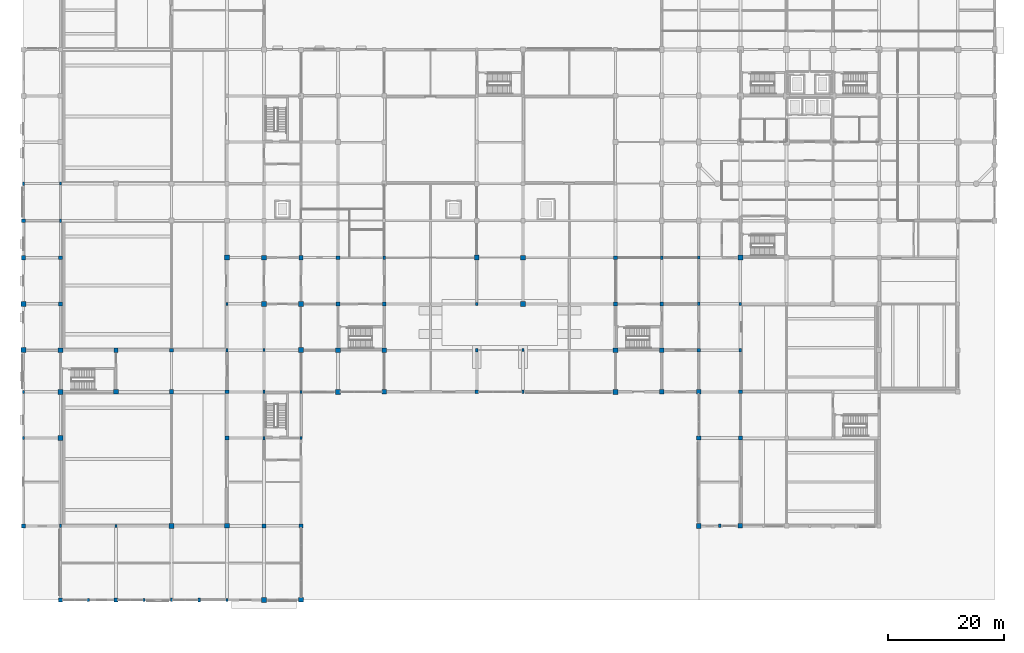
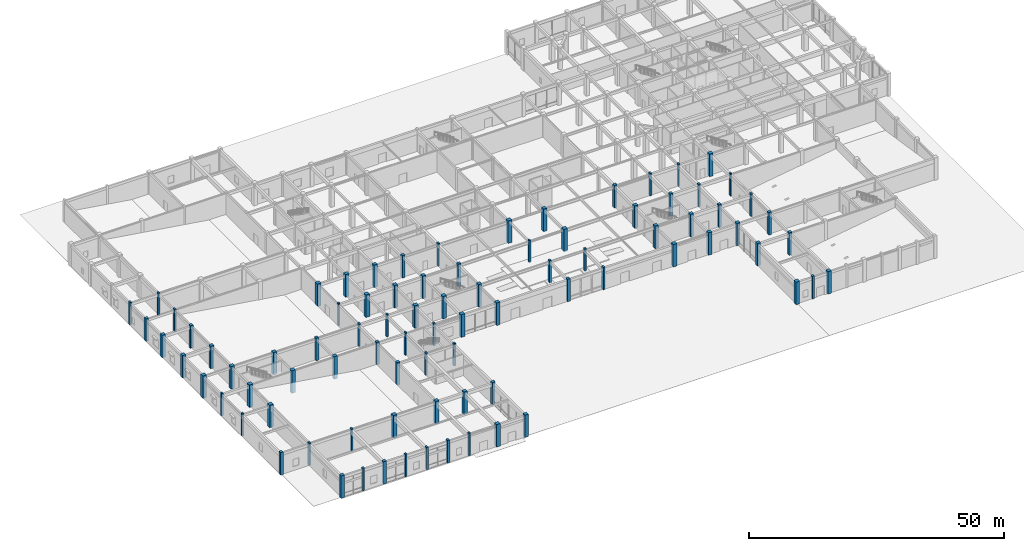
# One storey, part 1 of 40: 86 columns.
"""IFC4 building model written with IfcOpenShell, lengths in metres."""

from ifc_helpers import new_model, si_unit, direction, frame, origin, origin_2d, place, context, subcontext, project, spatial, rectangle, extrude, material, material_profile, profile_set, type_object, element, save


model = new_model("IFC4")

# Units and contexts
model_context = context("Model", 3, precision=1e-05, world=origin(), true_north=direction((0.0, 1.0)))
body_context = subcontext(model_context, "Body", "Model", "MODEL_VIEW")
ifc_project = project(units=[si_unit("LENGTHUNIT", "METRE"), si_unit("AREAUNIT", "SQUARE_METRE"), si_unit("VOLUMEUNIT", "CUBIC_METRE"), si_unit("PLANEANGLEUNIT", "RADIAN"), si_unit("MASSUNIT", "GRAM", prefix="KILO")], contexts=[model_context])

# Site, building, storey
site_placement = place(None, origin())
site = spatial("IfcSite", under=ifc_project, at=site_placement, CompositionType="ELEMENT")
building_placement = place(site_placement, origin())
building = spatial("IfcBuilding", under=site, at=building_placement, Name="Vellmiral Cinema and Media Centre", CompositionType="ELEMENT")
storey_placement = place(building_placement, origin())
storey = spatial("IfcBuildingStorey", under=building, at=storey_placement, Name="L00", CompositionType="ELEMENT", Elevation=0.0)

# Columns
ifc_material_1 = material(Name="Concrete C40/50", Category="concrete")
ifc_material_profile_1 = material_profile(ifc_material_1, rectangle(XDim=0.39990234375, YDim=0.5, at=origin_2d()), Name="RC 400x500")
ifc_profile_set_1 = profile_set([ifc_material_profile_1], Name="Concrete C40/50")
column_type_1 = type_object("IfcColumnType", Name="COL-RC-400x500", PredefinedType="COLUMN", material=ifc_profile_set_1)
for number, where, z_axis, x_axis, name in (
    (1, (0.0, 28.0, 0.0), (0.0, 0.0, 1.0), (1.0, 0.0, 0.0), "Column L00-002"),
    (2, (0.0, 36.0, 0.0), (0.0, 0.0, 1.0), (1.0, 0.0, 0.0), "Column L00-003"),
    (3, (6.39990234375, 72.0, 0.0), (0.0, 0.0, 1.0), (1.0, 0.0, 0.0), "Column L00-020"),
    (4, (16.0, 12.800048828125, 0.0), (0.0, 0.0, 1.0), (1.0, 0.0, 0.0), "Column L00-026"),
    (5, (35.199951171875, 0.0, 0.0), (0.0, 0.0, 1.0), (1.0, 0.0, 0.0), "Column L00-041"),
    (6, (35.199951171875, 51.199951171875, 0.0), (0.0, 0.0, 1.0), (1.0, 0.0, 0.0), "Column L00-046"),
    (7, (41.60009765625, 43.199951171875, 0.0), (0.0, 0.0, 1.0), (1.0, 0.0, 0.0), "Column L00-058"),
    (8, (48.0, 28.0, 0.0), (0.0, 0.0, 1.0), (1.0, 0.0, 0.0), "Column L00-069"),
    (9, (48.0, 36.0, 0.0), (0.0, 0.0, 1.0), (1.0, 0.0, 0.0), "Column L00-070"),
    (10, (78.39990234375, 51.199951171875, 0.0), (0.0, 0.0, 1.0), (1.0, 0.0, 0.0), "Column L00-099"),
    (11, (86.39990234375, 43.199951171875, 0.0), (0.0, 0.0, 1.0), (1.0, 0.0, 0.0), "Column L00-107"),
    (12, (116.800048828125, 59.199951171875, 0.0), (0.0, 0.0, 1.0), (1.0, 0.0, 0.0), "Column L00-140"),
    (13, (124.0, 51.199951171875, 0.0), (0.0, 0.0, 1.0), (1.0, 0.0, 0.0), "Column L00-156"),
):
    element("IfcColumn", number, at=place(storey_placement, frame(where, z_axis=z_axis, x_axis=x_axis)), inside=storey, type_object=column_type_1, Name=name, PredefinedType="COLUMN", context=body_context, shape_type="SweptSolid", body=[
        extrude(rectangle(XDim=0.39990234375, YDim=0.5, at=origin_2d()), origin(), (0.0, 0.0, 1.0), 5.39990234375),
    ])
ifc_material_2 = material(Name="Concrete C40/50", Category="concrete")
ifc_material_profile_2 = material_profile(ifc_material_2, rectangle(XDim=0.39990234375, YDim=0.60009765625, at=origin_2d()), Name="RC 400x600")
ifc_profile_set_2 = profile_set([ifc_material_profile_2], Name="Concrete C40/50")
column_type_2 = type_object("IfcColumnType", Name="COL-RC-400x600", PredefinedType="COLUMN", material=ifc_profile_set_2)
for number, where, z_axis, x_axis, name in (
    (14, (0.0, 72.0, 0.0), (0.0, 0.0, 1.0), (1.0, 0.0, 0.0), "Column L00-008"),
    (15, (6.39990234375, 12.800048828125, 0.0), (0.0, 0.0, 1.0), (1.0, 0.0, 0.0), "Column L00-013"),
    (16, (6.39990234375, 65.60009765625, 0.0), (0.0, 0.0, 1.0), (1.0, 0.0, 0.0), "Column L00-019"),
    (17, (25.60009765625, 0.0, 0.0), (0.0, 0.0, 1.0), (1.0, 0.0, 0.0), "Column L00-033"),
    (18, (35.199951171875, 43.199951171875, 0.0), (0.0, 0.0, 1.0), (1.0, 0.0, 0.0), "Column L00-045"),
    (19, (41.60009765625, 28.0, 0.0), (0.0, 0.0, 1.0), (1.0, 0.0, 0.0), "Column L00-056"),
    (20, (41.60009765625, 36.0, 0.0), (0.0, 0.0, 1.0), (1.0, 0.0, 0.0), "Column L00-057"),
    (21, (62.39990234375, 59.199951171875, 0.0), (0.0, 0.0, 1.0), (1.0, 0.0, 0.0), "Column L00-091"),
    (22, (78.39990234375, 43.199951171875, 0.0), (0.0, 0.0, 1.0), (1.0, 0.0, 0.0), "Column L00-098"),
    (23, (86.39990234375, 36.0, 0.0), (0.0, 0.0, 1.0), (1.0, 0.0, 0.0), "Column L00-106"),
    (24, (110.39990234375, 59.199951171875, 0.0), (0.0, 0.0, 1.0), (1.0, 0.0, 0.0), "Column L00-127"),
    (25, (116.800048828125, 51.199951171875, 0.0), (0.0, 0.0, 1.0), (1.0, 0.0, 0.0), "Column L00-139"),
    (26, (124.0, 43.199951171875, 0.0), (0.0, 0.0, 1.0), (1.0, 0.0, 0.0), "Column L00-155"),
):
    element("IfcColumn", number, at=place(storey_placement, frame(where, z_axis=z_axis, x_axis=x_axis)), inside=storey, type_object=column_type_2, Name=name, PredefinedType="COLUMN", context=body_context, shape_type="SweptSolid", body=[
        extrude(rectangle(XDim=0.39990234375, YDim=0.60009765625, at=origin_2d()), origin(), (0.0, 0.0, 1.0), 5.39990234375),
    ])
ifc_material_3 = material(Name="Concrete C40/50", Category="concrete")
ifc_material_profile_3 = material_profile(ifc_material_3, rectangle(XDim=0.64990234375, YDim=0.64990234375, at=origin_2d()), Name="RC 650x650")
ifc_profile_set_3 = profile_set([ifc_material_profile_3], Name="Concrete C40/50")
column_type_3 = type_object("IfcColumnType", Name="COL-RC-650x650", PredefinedType="COLUMN", material=ifc_profile_set_3)
for number, where, z_axis, x_axis, name in (
    (27, (0.0, 12.800048828125, 0.0), (0.0, 0.0, 1.0), (1.0, 0.0, 0.0), "Column L00-001"),
    (28, (0.0, 65.60009765625, 0.0), (0.0, 0.0, 1.0), (1.0, 0.0, 0.0), "Column L00-007"),
    (29, (6.39990234375, 59.199951171875, 0.0), (0.0, 0.0, 1.0), (1.0, 0.0, 0.0), "Column L00-018"),
    (30, (16.0, 0.0, 0.0), (0.0, 0.0, 1.0), (1.0, 0.0, 0.0), "Column L00-025"),
    (31, (25.60009765625, 43.199951171875, 0.0), (0.0, 0.0, 1.0), (1.0, 0.0, 0.0), "Column L00-036"),
    (32, (35.199951171875, 28.0, 0.0), (0.0, 0.0, 1.0), (1.0, 0.0, 0.0), "Column L00-043"),
    (33, (35.199951171875, 36.0, 0.0), (0.0, 0.0, 1.0), (1.0, 0.0, 0.0), "Column L00-044"),
    (34, (48.0, 12.800048828125, 0.0), (0.0, 0.0, 1.0), (1.0, 0.0, 0.0), "Column L00-068"),
    (35, (54.39990234375, 59.199951171875, 0.0), (0.0, 0.0, 1.0), (1.0, 0.0, 0.0), "Column L00-082"),
    (36, (62.39990234375, 51.199951171875, 0.0), (0.0, 0.0, 1.0), (1.0, 0.0, 0.0), "Column L00-090"),
    (37, (78.39990234375, 36.0, 0.0), (0.0, 0.0, 1.0), (1.0, 0.0, 0.0), "Column L00-097"),
    (38, (102.39990234375, 59.199951171875, 0.0), (0.0, 0.0, 1.0), (1.0, 0.0, 0.0), "Column L00-118"),
    (39, (110.39990234375, 51.199951171875, 0.0), (0.0, 0.0, 1.0), (1.0, 0.0, 0.0), "Column L00-126"),
    (40, (116.800048828125, 43.199951171875, 0.0), (0.0, 0.0, 1.0), (1.0, 0.0, 0.0), "Column L00-138"),
    (41, (124.0, 28.0, 0.0), (0.0, 0.0, 1.0), (1.0, 0.0, 0.0), "Column L00-153"),
    (42, (124.0, 36.0, 0.0), (0.0, 0.0, 1.0), (1.0, 0.0, 0.0), "Column L00-154"),
):
    element("IfcColumn", number, at=place(storey_placement, frame(where, z_axis=z_axis, x_axis=x_axis)), inside=storey, type_object=column_type_3, Name=name, PredefinedType="COLUMN", context=body_context, shape_type="SweptSolid", body=[
        extrude(rectangle(XDim=0.64990234375, YDim=0.64990234375, at=origin_2d()), origin(), (0.0, 0.0, 1.0), 5.39990234375),
    ])
ifc_material_4 = material(Name="Concrete C40/50", Category="concrete")
ifc_material_profile_4 = material_profile(ifc_material_4, rectangle(XDim=0.75, YDim=0.75, at=origin_2d()), Name="RC 750x750")
ifc_profile_set_4 = profile_set([ifc_material_profile_4], Name="Concrete C40/50")
column_type_4 = type_object("IfcColumnType", Name="COL-RC-750x750", PredefinedType="COLUMN", material=ifc_profile_set_4)
for number, where, z_axis, x_axis, name in (
    (43, (0.0, 59.199951171875, 0.0), (0.0, 0.0, 1.0), (1.0, 0.0, 0.0), "Column L00-006"),
    (44, (6.39990234375, 0.0, 0.0), (0.0, 0.0, 1.0), (1.0, 0.0, 0.0), "Column L00-012"),
    (45, (6.39990234375, 51.199951171875, 0.0), (0.0, 0.0, 1.0), (1.0, 0.0, 0.0), "Column L00-017"),
    (46, (16.0, 43.199951171875, 0.0), (0.0, 0.0, 1.0), (1.0, 0.0, 0.0), "Column L00-028"),
    (47, (25.60009765625, 36.0, 0.0), (0.0, 0.0, 1.0), (1.0, 0.0, 0.0), "Column L00-035"),
    (48, (41.60009765625, 12.800048828125, 0.0), (0.0, 0.0, 1.0), (1.0, 0.0, 0.0), "Column L00-055"),
    (49, (48.0, 59.199951171875, 0.0), (0.0, 0.0, 1.0), (1.0, 0.0, 0.0), "Column L00-073"),
    (50, (54.39990234375, 51.199951171875, 0.0), (0.0, 0.0, 1.0), (1.0, 0.0, 0.0), "Column L00-081"),
    (51, (62.39990234375, 43.199951171875, 0.0), (0.0, 0.0, 1.0), (1.0, 0.0, 0.0), "Column L00-089"),
    (52, (102.39990234375, 51.199951171875, 0.0), (0.0, 0.0, 1.0), (1.0, 0.0, 0.0), "Column L00-117"),
    (53, (110.39990234375, 43.199951171875, 0.0), (0.0, 0.0, 1.0), (1.0, 0.0, 0.0), "Column L00-125"),
    (54, (116.800048828125, 28.0, 0.0), (0.0, 0.0, 1.0), (1.0, 0.0, 0.0), "Column L00-136"),
    (55, (116.800048828125, 36.0, 0.0), (0.0, 0.0, 1.0), (1.0, 0.0, 0.0), "Column L00-137"),
):
    element("IfcColumn", number, at=place(storey_placement, frame(where, z_axis=z_axis, x_axis=x_axis)), inside=storey, type_object=column_type_4, Name=name, PredefinedType="COLUMN", context=body_context, shape_type="SweptSolid", body=[
        extrude(rectangle(XDim=0.75, YDim=0.75, at=origin_2d()), origin(), (0.0, 0.0, 1.0), 5.39990234375),
    ])
ifc_material_5 = material(Name="Concrete C40/50", Category="concrete")
ifc_material_profile_5 = material_profile(ifc_material_5, rectangle(XDim=0.800048828125, YDim=0.800048828125, at=origin_2d()), Name="RC 800x800")
ifc_profile_set_5 = profile_set([ifc_material_profile_5], Name="Concrete C40/50")
column_type_5 = type_object("IfcColumnType", Name="COL-RC-800x800", PredefinedType="COLUMN", material=ifc_profile_set_5)
for number, where, z_axis, x_axis, name in (
    (56, (0.0, 51.199951171875, 0.0), (0.0, 0.0, 1.0), (1.0, 0.0, 0.0), "Column L00-005"),
    (57, (6.39990234375, 43.199951171875, 0.0), (0.0, 0.0, 1.0), (1.0, 0.0, 0.0), "Column L00-016"),
    (58, (16.0, 36.0, 0.0), (0.0, 0.0, 1.0), (1.0, 0.0, 0.0), "Column L00-027"),
    (59, (35.199951171875, 12.800048828125, 0.0), (0.0, 0.0, 1.0), (1.0, 0.0, 0.0), "Column L00-042"),
    (60, (41.60009765625, 59.199951171875, 0.0), (0.0, 0.0, 1.0), (1.0, 0.0, 0.0), "Column L00-060"),
    (61, (48.0, 0.0, 0.0), (0.0, 0.0, 1.0), (1.0, 0.0, 0.0), "Column L00-067"),
    (62, (48.0, 51.199951171875, 0.0), (0.0, 0.0, 1.0), (1.0, 0.0, 0.0), "Column L00-072"),
    (63, (54.39990234375, 43.199951171875, 0.0), (0.0, 0.0, 1.0), (1.0, 0.0, 0.0), "Column L00-080"),
    (64, (62.39990234375, 36.0, 0.0), (0.0, 0.0, 1.0), (1.0, 0.0, 0.0), "Column L00-088"),
    (65, (86.39990234375, 59.199951171875, 0.0), (0.0, 0.0, 1.0), (1.0, 0.0, 0.0), "Column L00-109"),
    (66, (102.39990234375, 43.199951171875, 0.0), (0.0, 0.0, 1.0), (1.0, 0.0, 0.0), "Column L00-116"),
    (67, (110.39990234375, 36.0, 0.0), (0.0, 0.0, 1.0), (1.0, 0.0, 0.0), "Column L00-124"),
    (68, (124.0, 12.800048828125, 0.0), (0.0, 0.0, 1.0), (1.0, 0.0, 0.0), "Column L00-152"),
):
    element("IfcColumn", number, at=place(storey_placement, frame(where, z_axis=z_axis, x_axis=x_axis)), inside=storey, type_object=column_type_5, Name=name, PredefinedType="COLUMN", context=body_context, shape_type="SweptSolid", body=[
        extrude(rectangle(XDim=0.800048828125, YDim=0.800048828125, at=origin_2d()), origin(), (0.0, 0.0, 1.0), 5.39990234375),
    ])
ifc_material_6 = material(Name="Concrete C40/50", Category="concrete")
ifc_material_profile_6 = material_profile(ifc_material_6, rectangle(XDim=0.85009765625, YDim=0.85009765625, at=origin_2d()), Name="RC 850x850")
ifc_profile_set_6 = profile_set([ifc_material_profile_6], Name="Concrete C40/50")
column_type_6 = type_object("IfcColumnType", Name="COL-RC-850x850", PredefinedType="COLUMN", material=ifc_profile_set_6)
for number, where, z_axis, x_axis, name in (
    (69, (0.0, 43.199951171875, 0.0), (0.0, 0.0, 1.0), (1.0, 0.0, 0.0), "Column L00-004"),
    (70, (6.39990234375, 28.0, 0.0), (0.0, 0.0, 1.0), (1.0, 0.0, 0.0), "Column L00-014"),
    (71, (6.39990234375, 36.0, 0.0), (0.0, 0.0, 1.0), (1.0, 0.0, 0.0), "Column L00-015"),
    (72, (25.60009765625, 12.800048828125, 0.0), (0.0, 0.0, 1.0), (1.0, 0.0, 0.0), "Column L00-034"),
    (73, (35.199951171875, 59.199951171875, 0.0), (0.0, 0.0, 1.0), (1.0, 0.0, 0.0), "Column L00-047"),
    (74, (41.60009765625, 0.0, 0.0), (0.0, 0.0, 1.0), (1.0, 0.0, 0.0), "Column L00-054"),
    (75, (41.60009765625, 51.199951171875, 0.0), (0.0, 0.0, 1.0), (1.0, 0.0, 0.0), "Column L00-059"),
    (76, (48.0, 43.199951171875, 0.0), (0.0, 0.0, 1.0), (1.0, 0.0, 0.0), "Column L00-071"),
    (77, (54.39990234375, 36.0, 0.0), (0.0, 0.0, 1.0), (1.0, 0.0, 0.0), "Column L00-079"),
    (78, (78.39990234375, 59.199951171875, 0.0), (0.0, 0.0, 1.0), (1.0, 0.0, 0.0), "Column L00-100"),
    (79, (86.39990234375, 51.199951171875, 0.0), (0.0, 0.0, 1.0), (1.0, 0.0, 0.0), "Column L00-108"),
    (80, (102.39990234375, 36.0, 0.0), (0.0, 0.0, 1.0), (1.0, 0.0, 0.0), "Column L00-115"),
    (81, (116.800048828125, 12.800048828125, 0.0), (0.0, 0.0, 1.0), (1.0, 0.0, 0.0), "Column L00-135"),
    (82, (124.0, 59.199951171875, 0.0), (0.0, 0.0, 1.0), (1.0, 0.0, 0.0), "Column L00-157"),
):
    element("IfcColumn", number, at=place(storey_placement, frame(where, z_axis=z_axis, x_axis=x_axis)), inside=storey, type_object=column_type_6, Name=name, PredefinedType="COLUMN", context=body_context, shape_type="SweptSolid", body=[
        extrude(rectangle(XDim=0.85009765625, YDim=0.85009765625, at=origin_2d()), origin(), (0.0, 0.0, 1.0), 5.39990234375),
    ])
ifc_material_7 = material(Name="Vosges Red Sandstone Masonry", Category="masonry")
ifc_material_profile_7 = material_profile(ifc_material_7, rectangle(XDim=0.35009765625, YDim=0.5, at=origin_2d()), Name="SAND 350x500")
ifc_profile_set_7 = profile_set([ifc_material_profile_7], Name="Vosges Red Sandstone Masonry")
column_type_7 = type_object("IfcColumnType", Name="PIL-SAND-350x500", PredefinedType="PILASTER", material=ifc_profile_set_7)
column_1_placement = place(storey_placement, frame((20.800048828125, 0.0, 0.0), z_axis=(0.0, 0.0, 1.0), x_axis=(1.0, 0.0, 0.0)))
element("IfcColumn", 83, at=column_1_placement, inside=storey, type_object=column_type_7, Name="Sandstone Arcade Pilaster L00-02", PredefinedType="PILASTER", context=body_context, shape_type="SweptSolid", body=[
    extrude(rectangle(XDim=0.35009765625, YDim=0.5, at=origin_2d()), origin(), (0.0, 0.0, 1.0), 5.39990234375),
])
ifc_material_8 = material(Name="Vosges Red Sandstone Masonry", Category="masonry")
ifc_material_profile_8 = material_profile(ifc_material_8, rectangle(XDim=0.39990234375, YDim=0.550048828125, at=origin_2d()), Name="SAND 400x550")
ifc_profile_set_8 = profile_set([ifc_material_profile_8], Name="Vosges Red Sandstone Masonry")
column_type_8 = type_object("IfcColumnType", Name="PIL-SAND-400x550", PredefinedType="PILASTER", material=ifc_profile_set_8)
column_2_placement = place(storey_placement, frame((11.199951171875, 0.0, 0.0), z_axis=(0.0, 0.0, 1.0), x_axis=(1.0, 0.0, 0.0)))
element("IfcColumn", 84, at=column_2_placement, inside=storey, type_object=column_type_8, Name="Sandstone Arcade Pilaster L00-01", PredefinedType="PILASTER", context=body_context, shape_type="SweptSolid", body=[
    extrude(rectangle(XDim=0.39990234375, YDim=0.550048828125, at=origin_2d()), origin(), (0.0, 0.0, 1.0), 5.39990234375),
])
ifc_material_9 = material(Name="Vosges Red Sandstone Masonry", Category="masonry")
ifc_material_profile_9 = material_profile(ifc_material_9, rectangle(XDim=0.449951171875, YDim=0.60009765625, at=origin_2d()), Name="SAND 450x600")
ifc_profile_set_9 = profile_set([ifc_material_profile_9], Name="Vosges Red Sandstone Masonry")
column_type_9 = type_object("IfcColumnType", Name="PIL-SAND-450x600", PredefinedType="PILASTER", material=ifc_profile_set_9)
column_3_placement = place(storey_placement, frame((120.39990234375, 12.800048828125, 0.0), z_axis=(0.0, 0.0, 1.0), x_axis=(1.0, 0.0, 0.0)))
element("IfcColumn", 85, at=column_3_placement, inside=storey, type_object=column_type_9, Name="Sandstone Arcade Pilaster L00-04", PredefinedType="PILASTER", context=body_context, shape_type="SweptSolid", body=[
    extrude(rectangle(XDim=0.449951171875, YDim=0.60009765625, at=origin_2d()), origin(), (0.0, 0.0, 1.0), 5.39990234375),
])
ifc_material_10 = material(Name="Vosges Red Sandstone Masonry", Category="masonry")
ifc_material_profile_10 = material_profile(ifc_material_10, rectangle(XDim=0.5, YDim=0.64990234375, at=origin_2d()), Name="SAND 500x650")
ifc_profile_set_10 = profile_set([ifc_material_profile_10], Name="Vosges Red Sandstone Masonry")
column_type_10 = type_object("IfcColumnType", Name="PIL-SAND-500x650", PredefinedType="PILASTER", material=ifc_profile_set_10)
column_4_placement = place(storey_placement, frame((30.39990234375, 0.0, 0.0), z_axis=(0.0, 0.0, 1.0), x_axis=(1.0, 0.0, 0.0)))
element("IfcColumn", 86, at=column_4_placement, inside=storey, type_object=column_type_10, Name="Sandstone Arcade Pilaster L00-03", PredefinedType="PILASTER", context=body_context, shape_type="SweptSolid", body=[
    extrude(rectangle(XDim=0.5, YDim=0.64990234375, at=origin_2d()), origin(), (0.0, 0.0, 1.0), 5.39990234375),
])

save(model, "model.ifc")
